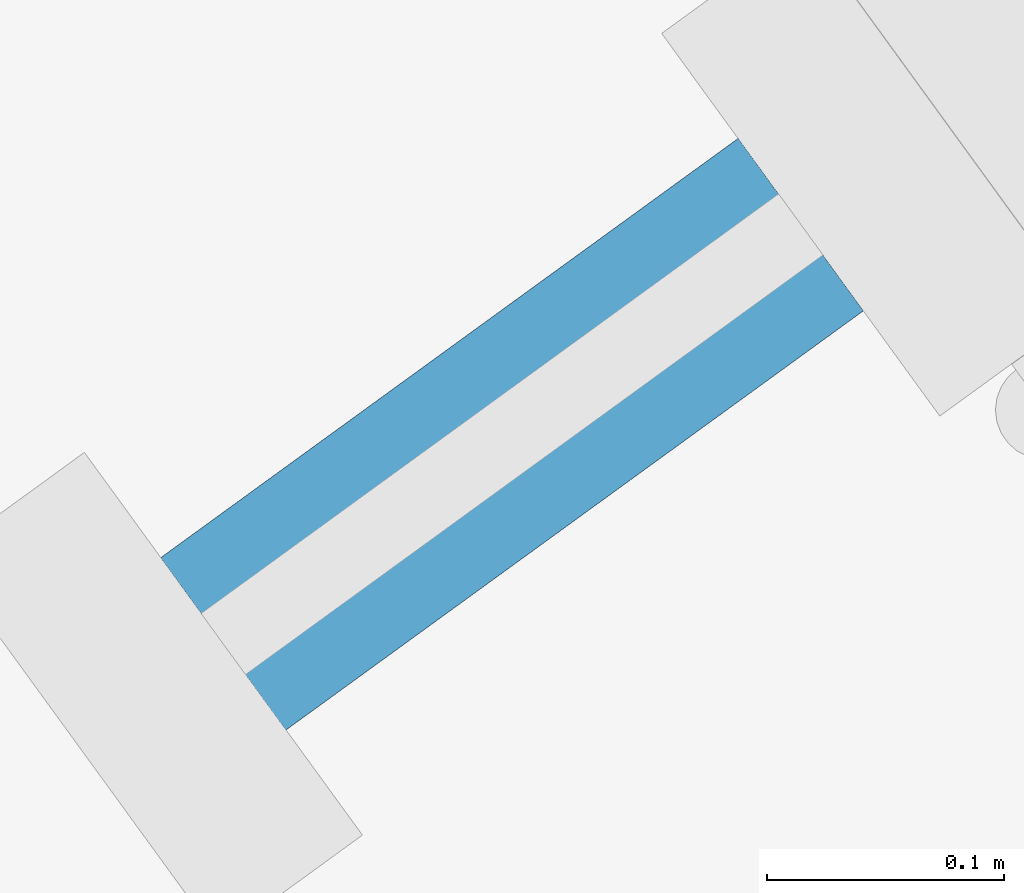
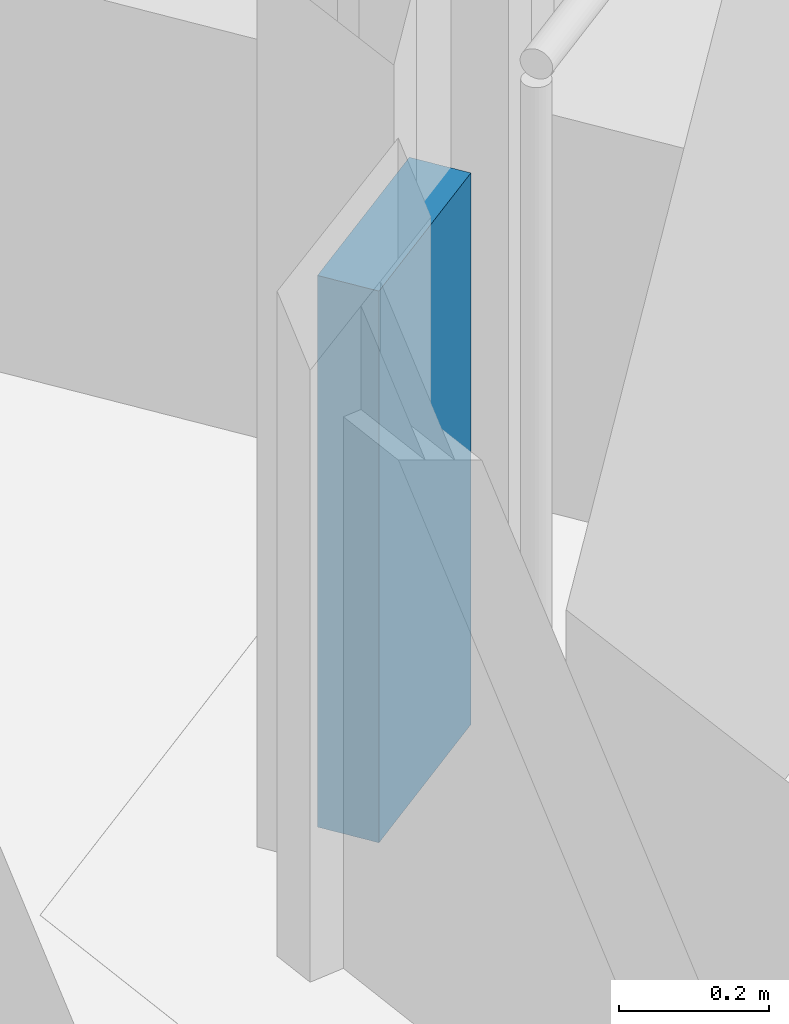
# One storey, part 9 of 24: 1 member, 1 element without a shape of its own.
"""IFC4 building model written with IfcOpenShell, lengths in metres."""

from ifc_helpers import new_model, si_unit, direction, frame, origin, origin_2d, place, context, subcontext, project, spatial, rectangle, extrude, source, transform, mapped, material, material_profile, profile_set, type_object, element, aggregate, save


model = new_model("IFC4")

# Units and contexts
model_context = context("Model", 3, precision=1e-05, world=origin(), true_north=direction((0.0, 1.0)))
body_context = subcontext(model_context, "Body", "Model", "MODEL_VIEW")
ifc_project = project(units=[si_unit("LENGTHUNIT", "METRE"), si_unit("AREAUNIT", "SQUARE_METRE"), si_unit("VOLUMEUNIT", "CUBIC_METRE"), si_unit("PLANEANGLEUNIT", "RADIAN"), si_unit("MASSUNIT", "GRAM", prefix="KILO")], contexts=[model_context])

# Site, building, storey
site_placement = place(None, origin())
site = spatial("IfcSite", under=ifc_project, at=site_placement, CompositionType="ELEMENT")
building_placement = place(site_placement, origin())
building = spatial("IfcBuilding", under=site, at=building_placement, Name="Triune Harvest Tower", CompositionType="ELEMENT")
storey_placement = place(building_placement, frame((0.0, 0.0, 58.5)))
storey = spatial("IfcBuildingStorey", under=building, at=storey_placement, Name="L13", CompositionType="ELEMENT", Elevation=58.5)

# Curtain wall, member
ifc_material_1 = material(Name="Aluminium bronze anodised", Category="aluminium")
curtain_wall_type = type_object("IfcCurtainWallType", Name="CW-1 Tower stick curtain wall", PredefinedType="NOTDEFINED", material=ifc_material_1)
curtain_wall_placement = place(storey_placement, origin())
curtain_wall = element("IfcCurtainWall", 1, at=curtain_wall_placement, inside=storey, type_object=curtain_wall_type, Name="CW-1 B2-F3 L13 run 301")
ifc_material_2 = material(Name="Aluminium bronze anodised", Category="aluminium")
ifc_material_profile = material_profile(ifc_material_2, rectangle(XDim=0.090087890625, YDim=0.89990234375, at=origin_2d()), Name="TR-1 transom 90 x 900")
ifc_profile_set = profile_set([ifc_material_profile], Name="Aluminium bronze anodised")
member_type = type_object("IfcMemberType", Name="TR-1 transom 90 x 900", PredefinedType="USERDEFINED", material=ifc_profile_set)
shared_shape = source(origin(), body_context, "Body", "SweptSolid", [
    extrude(rectangle(XDim=0.090087890625, YDim=0.89990234375, at=origin_2d()), origin(), (0.0, 0.0, 1.0), 0.3017578125),
])
member_placement = place(storey_placement, frame((-34.7373046875, 2.81787109375, 0.449951171875), z_axis=(-0.809225713381, -0.587497867914, 0.0), x_axis=(0.587497867914, -0.809225713381, 0.0)))
member = element("IfcMember", 2, at=member_placement, type_object=member_type, Name="CW-1 transom B2-F3 301.1", ObjectType="TRANSOM", PredefinedType="USERDEFINED", context=body_context, shape_type="MappedRepresentation", body=[
    mapped(shared_shape, transform((0.0, 0.0, 0.0), scale=1.0)),
])
aggregate(curtain_wall, [member])

save(model, "model.ifc")
